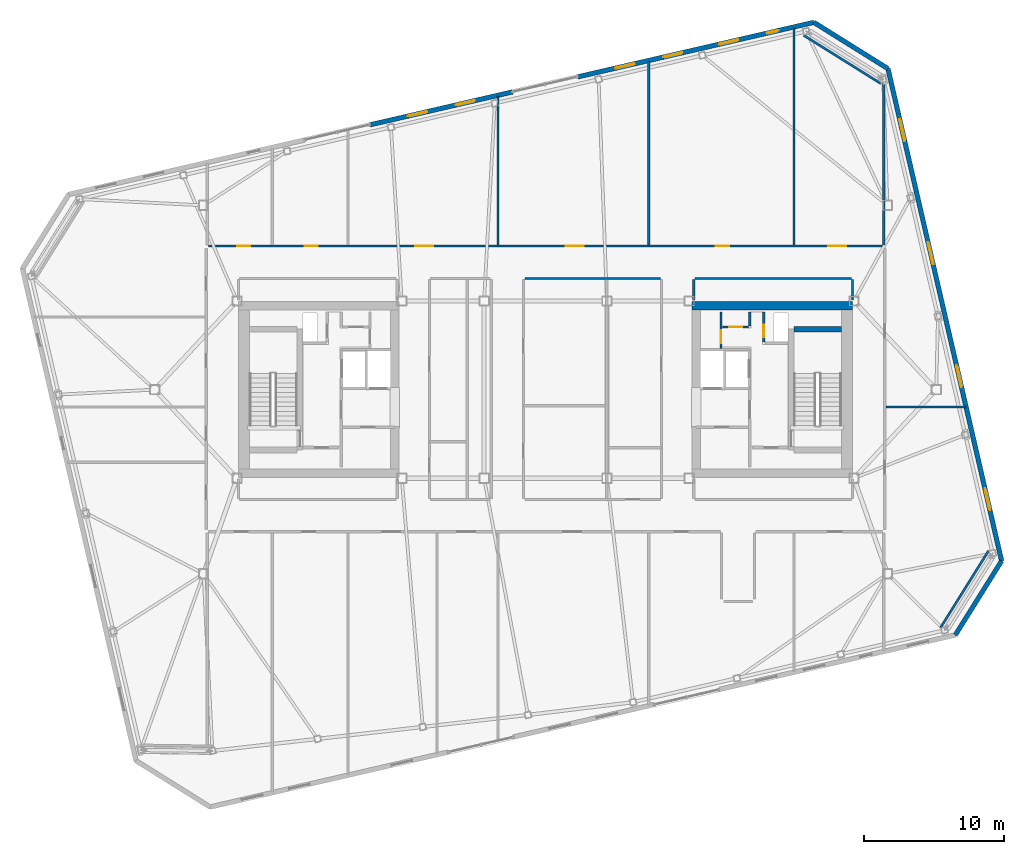
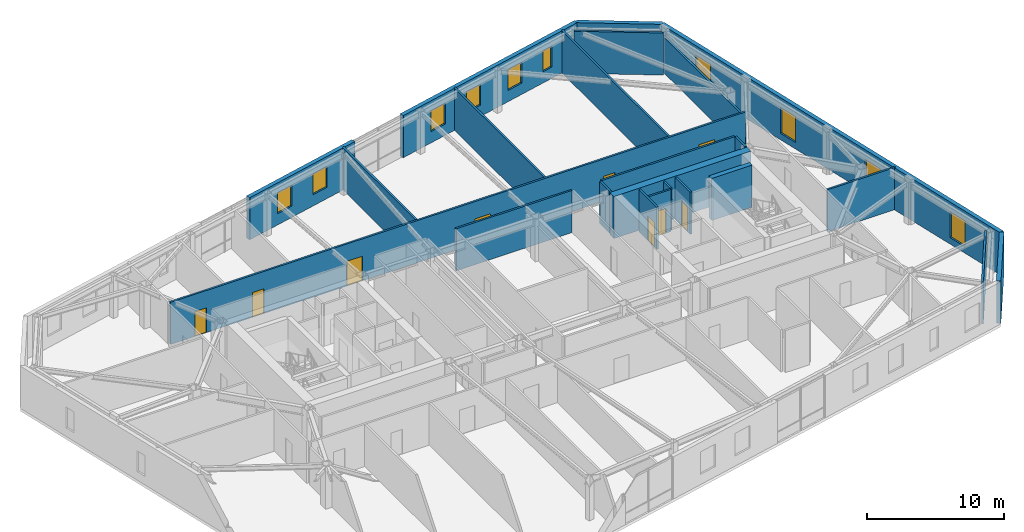
# One storey, part 19 of 23: 23 walls, 10 windows, 9 doors, 19 openings.
"""IFC4 building model written with IfcOpenShell, lengths in metres."""

from ifc_helpers import new_model, si_unit, direction, frame, frame_2d, origin, place, context, subcontext, project, spatial, rectangle, extrude, material, layer, layer_set, type_object, element, fill, save


model = new_model("IFC4")

# Units and contexts
model_context = context("Model", 3, precision=1e-05, world=origin(), true_north=direction((0.0, 1.0)))
body_context = subcontext(model_context, "Body", "Model", "MODEL_VIEW")
ifc_project = project(units=[si_unit("LENGTHUNIT", "METRE"), si_unit("AREAUNIT", "SQUARE_METRE"), si_unit("VOLUMEUNIT", "CUBIC_METRE"), si_unit("PLANEANGLEUNIT", "RADIAN"), si_unit("MASSUNIT", "GRAM", prefix="KILO")], contexts=[model_context])

# Site, building, storey
site_placement = place(None, origin())
site = spatial("IfcSite", under=ifc_project, at=site_placement, CompositionType="ELEMENT")
building_placement = place(site_placement, origin())
building = spatial("IfcBuilding", under=site, at=building_placement, Name="Tavrogorsk Clinical Tower", CompositionType="ELEMENT")
storey_placement = place(building_placement, frame((0.0, 0.0, 293.0)))
storey = spatial("IfcBuildingStorey", under=building, at=storey_placement, Name="L68", CompositionType="ELEMENT", Elevation=293.0)

# Wall, opening, door
ifc_material_1 = material(Name="Lightweight concrete blockwork B15", Category="masonry")
ifc_layer_1 = layer(ifc_material_1, 0.159912109375)
ifc_layer_set_1 = layer_set([ifc_layer_1], Name="Lightweight concrete blockwork B15")
wall_type_1 = type_object("IfcWallType", Name="PartitionWall_160", PredefinedType="PARTITIONING", material=ifc_layer_set_1)
wall_1_placement = place(storey_placement, frame((12.580078125, 2.9599609375, 0.0), z_axis=(0.0, 0.0, 1.0), x_axis=(0.0, 1.0, 0.0)))
wall_1 = element("IfcWall", 1, at=wall_1_placement, inside=storey, type_object=wall_type_1, Name="L68 Core East Linen Closet Wall", PredefinedType="PARTITIONING", context=body_context, shape_type="SweptSolid", body=[
    extrude(rectangle(XDim=2.60009765625, YDim=0.159912109375, at=frame_2d((1.300048828125, 0.0))), origin(), (0.0, 0.0, 1.0), 3.739990234375),
])
opening_1_placement = place(wall_1_placement, frame((0.35009765625, 0.0, 0.0)))
opening_1 = element("IfcOpeningElement", 2, at=opening_1_placement, cuts=wall_1, Name="Opening ID-02", PredefinedType="OPENING", context=body_context, shape_type="SweptSolid", body=[
    extrude(rectangle(XDim=0.949951171875, YDim=2.199951171875, at=frame_2d((0.47509765625, 1.10009765625))), frame((0.0, 0.08984375, 0.0), z_axis=(0.0, -1.0, 0.0), x_axis=(1.0, 0.0, 0.0)), (0.0, 0.0, 1.0), 0.179931640625),
])
ifc_material_2 = material(Name="Laminated timber leaf on aluminium frame", Category="wood")
door_type_1 = type_object("IfcDoorType", Name="InteriorDoor_ID02_950", OperationType="NOTDEFINED", PredefinedType="DOOR", material=ifc_material_2)
door_1_placement = place(opening_1_placement, origin())
door_1 = element("IfcDoor", 3, at=door_1_placement, inside=storey, type_object=door_type_1, Name="L68 Core East Linen Closet Door", OperationType="SINGLE_SWING_RIGHT", OverallHeight=2.199951171875, OverallWidth=0.949951171875, PredefinedType="DOOR", context=body_context, shape_type="SweptSolid", body=[
    extrude(rectangle(XDim=0.949951171875, YDim=2.199951171875, at=frame_2d((0.47509765625, 1.10009765625))), frame((0.0, 0.02490234375, 0.0), z_axis=(0.0, -1.0, 0.0), x_axis=(1.0, 0.0, 0.0)), (0.0, 0.0, 1.0), 0.050048828125),
])
fill(opening_1, door_1)

wall_2_placement = place(storey_placement, frame((12.6650390625, 4.47998046875, 0.0), z_axis=(0.0, 0.0, 1.0), x_axis=(1.0, 0.0, 0.0)))
wall_2 = element("IfcWall", 4, at=wall_2_placement, inside=storey, type_object=wall_type_1, Name="L68 Core East Housekeeping South Wall", PredefinedType="PARTITIONING", context=body_context, shape_type="SweptSolid", body=[
    extrude(rectangle(XDim=1.889892578125, YDim=0.159912109375, at=frame_2d((0.94482421875, 0.0))), origin(), (0.0, 0.0, 1.0), 3.739990234375),
])
opening_2_placement = place(wall_2_placement, frame((0.5, 0.0, 0.0)))
opening_2 = element("IfcOpeningElement", 5, at=opening_2_placement, cuts=wall_2, Name="Opening ID-02", PredefinedType="OPENING", context=body_context, shape_type="SweptSolid", body=[
    extrude(rectangle(XDim=0.949951171875, YDim=2.199951171875, at=frame_2d((0.47509765625, 1.10009765625))), frame((0.0, 0.08984375, 0.0), z_axis=(0.0, -1.0, 0.0), x_axis=(1.0, 0.0, 0.0)), (0.0, 0.0, 1.0), 0.179931640625),
])
door_2_placement = place(opening_2_placement, origin())
door_2 = element("IfcDoor", 6, at=door_2_placement, inside=storey, type_object=door_type_1, Name="L68 Core East Housekeeping Closet Door", OperationType="SINGLE_SWING_LEFT", OverallHeight=2.199951171875, OverallWidth=0.949951171875, PredefinedType="DOOR", context=body_context, shape_type="SweptSolid", body=[
    extrude(rectangle(XDim=0.949951171875, YDim=2.199951171875, at=frame_2d((0.47509765625, 1.10009765625))), frame((0.0, 0.02490234375, 0.0), z_axis=(0.0, -1.0, 0.0), x_axis=(1.0, 0.0, 0.0)), (0.0, 0.0, 1.0), 0.050048828125),
])
fill(opening_2, door_2)

# Walls
wall_3_placement = place(storey_placement, frame((14.639892578125, 4.56494140625, 0.0), z_axis=(0.0, 0.0, 1.0), x_axis=(0.0, 1.0, 0.0)))
element("IfcWall", 7, at=wall_3_placement, inside=storey, type_object=wall_type_1, Name="L68 Core East Housekeeping East Wall", PredefinedType="PARTITIONING", context=body_context, shape_type="SweptSolid", body=[
    extrude(rectangle(XDim=0.9951171875, YDim=0.159912109375, at=frame_2d((0.49755859375, 0.0))), origin(), (0.0, 0.0, 1.0), 3.739990234375),
])
for number, where, z_axis, x_axis, name in (
    (8, (28.30029296875, -17.064697265625, 0.0), (0.0, 0.0, 1.0), (0.529914601736, 0.848051009591, 0.0), "L68 Corner Exoskeleton Brace Furring Wall 1"),
    (9, (24.018310546875, 21.9306640625, 0.0), (0.0, 0.0, 1.0), (-0.848051009591, 0.529914601736, 0.0), "L68 Corner Exoskeleton Brace Furring Wall 2"),
):
    element("IfcWall", number, at=place(storey_placement, frame(where, z_axis=z_axis, x_axis=x_axis)), inside=storey, type_object=wall_type_1, Name=name, PredefinedType="PARTITIONING", context=body_context, shape_type="SweptSolid", body=[
        extrude(rectangle(XDim=6.50537109375, YDim=0.159912109375, at=frame_2d((3.252685546875, 0.0))), origin(), (0.0, 0.0, 1.0), 3.739990234375),
    ])

# Wall, openings, doors
wall_4_placement = place(storey_placement, frame((-24.14501953125, 10.280029296875, 0.0), z_axis=(0.0, 0.0, 1.0), x_axis=(1.0, 0.0, 0.0)))
wall_4 = element("IfcWall", 10, at=wall_4_placement, inside=storey, type_object=wall_type_1, Name="L68 Corridor Partition 02", PredefinedType="PARTITIONING", context=body_context, shape_type="SweptSolid", body=[
    extrude(rectangle(XDim=48.2900390625, YDim=0.159912109375, at=frame_2d((24.14501953125, 0.0))), origin(), (0.0, 0.0, 1.0), 3.739990234375),
])
opening_3_placement = place(wall_4_placement, frame((2.044189453125, 0.0, 0.0)))
opening_3 = element("IfcOpeningElement", 11, at=opening_3_placement, cuts=wall_4, Name="Opening ID-02", PredefinedType="OPENING", context=body_context, shape_type="SweptSolid", body=[
    extrude(rectangle(XDim=0.949951171875, YDim=2.199951171875, at=frame_2d((0.47509765625, 1.10009765625))), frame((0.0, 0.08984375, 0.0), z_axis=(0.0, -1.0, 0.0), x_axis=(1.0, 0.0, 0.0)), (0.0, 0.0, 1.0), 0.179931640625),
])
opening_4_placement = place(wall_4_placement, frame((6.885009765625, 0.0, 0.0)))
opening_4 = element("IfcOpeningElement", 12, at=opening_4_placement, cuts=wall_4, Name="Opening ID-02", PredefinedType="OPENING", context=body_context, shape_type="SweptSolid", body=[
    extrude(rectangle(XDim=0.949951171875, YDim=2.199951171875, at=frame_2d((0.47509765625, 1.10009765625))), frame((0.0, 0.08984375, 0.0), z_axis=(0.0, -1.0, 0.0), x_axis=(1.0, 0.0, 0.0)), (0.0, 0.0, 1.0), 0.179931640625),
])
opening_5_placement = place(wall_4_placement, frame((14.800048828125, 0.0, 0.0)))
opening_5 = element("IfcOpeningElement", 13, at=opening_5_placement, cuts=wall_4, Name="Opening ID-01", PredefinedType="OPENING", context=body_context, shape_type="SweptSolid", body=[
    extrude(rectangle(XDim=1.300048828125, YDim=2.199951171875, at=frame_2d((0.64990234375, 1.10009765625))), frame((0.0, 0.08984375, 0.0), z_axis=(0.0, -1.0, 0.0), x_axis=(1.0, 0.0, 0.0)), (0.0, 0.0, 1.0), 0.179931640625),
])
opening_6_placement = place(wall_4_placement, frame((25.580078125, 0.0, 0.0)))
opening_6 = element("IfcOpeningElement", 14, at=opening_6_placement, cuts=wall_4, Name="Opening ID-01", PredefinedType="OPENING", context=body_context, shape_type="SweptSolid", body=[
    extrude(rectangle(XDim=1.300048828125, YDim=2.199951171875, at=frame_2d((0.64990234375, 1.10009765625))), frame((0.0, 0.08984375, 0.0), z_axis=(0.0, -1.0, 0.0), x_axis=(1.0, 0.0, 0.0)), (0.0, 0.0, 1.0), 0.179931640625),
])
opening_7_placement = place(wall_4_placement, frame((36.35498046875, 0.0, 0.0)))
opening_7 = element("IfcOpeningElement", 15, at=opening_7_placement, cuts=wall_4, Name="Opening ID-02", PredefinedType="OPENING", context=body_context, shape_type="SweptSolid", body=[
    extrude(rectangle(XDim=0.949951171875, YDim=2.199951171875, at=frame_2d((0.47509765625, 1.10009765625))), frame((0.0, 0.08984375, 0.0), z_axis=(0.0, -1.0, 0.0), x_axis=(1.0, 0.0, 0.0)), (0.0, 0.0, 1.0), 0.179931640625),
])
opening_8_placement = place(wall_4_placement, frame((44.40087890625, 0.0, 0.0)))
opening_8 = element("IfcOpeningElement", 16, at=opening_8_placement, cuts=wall_4, Name="Opening ID-01", PredefinedType="OPENING", context=body_context, shape_type="SweptSolid", body=[
    extrude(rectangle(XDim=1.300048828125, YDim=2.199951171875, at=frame_2d((0.64990234375, 1.10009765625))), frame((0.0, 0.08984375, 0.0), z_axis=(0.0, -1.0, 0.0), x_axis=(1.0, 0.0, 0.0)), (0.0, 0.0, 1.0), 0.179931640625),
])
door_3_placement = place(opening_3_placement, origin())
door_3 = element("IfcDoor", 17, at=door_3_placement, inside=storey, type_object=door_type_1, Name="L68 North Physician Consultation Office 01 Door", OperationType="SINGLE_SWING_LEFT", OverallHeight=2.199951171875, OverallWidth=0.949951171875, PredefinedType="DOOR", context=body_context, shape_type="SweptSolid", body=[
    extrude(rectangle(XDim=0.949951171875, YDim=2.199951171875, at=frame_2d((0.47509765625, 1.10009765625))), frame((0.0, 0.02490234375, 0.0), z_axis=(0.0, -1.0, 0.0), x_axis=(1.0, 0.0, 0.0)), (0.0, 0.0, 1.0), 0.050048828125),
])
fill(opening_3, door_3)
door_4_placement = place(opening_4_placement, origin())
door_4 = element("IfcDoor", 18, at=door_4_placement, inside=storey, type_object=door_type_1, Name="L68 North Patient & Family Quiet Lounge 02 Door", OperationType="SINGLE_SWING_RIGHT", OverallHeight=2.199951171875, OverallWidth=0.949951171875, PredefinedType="DOOR", context=body_context, shape_type="SweptSolid", body=[
    extrude(rectangle(XDim=0.949951171875, YDim=2.199951171875, at=frame_2d((0.47509765625, 1.10009765625))), frame((0.0, 0.02490234375, 0.0), z_axis=(0.0, -1.0, 0.0), x_axis=(1.0, 0.0, 0.0)), (0.0, 0.0, 1.0), 0.050048828125),
])
fill(opening_4, door_4)
door_5_placement = place(opening_7_placement, origin())
door_5 = element("IfcDoor", 19, at=door_5_placement, inside=storey, type_object=door_type_1, Name="L68 North Multidisciplinary Case Room 05 Door", OperationType="SINGLE_SWING_LEFT", OverallHeight=2.199951171875, OverallWidth=0.949951171875, PredefinedType="DOOR", context=body_context, shape_type="SweptSolid", body=[
    extrude(rectangle(XDim=0.949951171875, YDim=2.199951171875, at=frame_2d((0.47509765625, 1.10009765625))), frame((0.0, 0.02490234375, 0.0), z_axis=(0.0, -1.0, 0.0), x_axis=(1.0, 0.0, 0.0)), (0.0, 0.0, 1.0), 0.050048828125),
])
fill(opening_7, door_5)
ifc_material_3 = material(Name="Antibacterial HPL medical leaf on aluminium frame", Category="aluminium")
door_type_2 = type_object("IfcDoorType", Name="WardBedDoor_ID01_1300", OperationType="NOTDEFINED", PredefinedType="DOOR", material=ifc_material_3)
door_6_placement = place(opening_5_placement, origin())
door_6 = element("IfcDoor", 20, at=door_6_placement, inside=storey, type_object=door_type_2, Name="L68 North Acute Isolation Suite 03 Door", OperationType="SINGLE_SWING_LEFT", OverallHeight=2.199951171875, OverallWidth=1.300048828125, PredefinedType="DOOR", context=body_context, shape_type="SweptSolid", body=[
    extrude(rectangle(XDim=1.300048828125, YDim=2.199951171875, at=frame_2d((0.64990234375, 1.10009765625))), frame((0.0, 0.02490234375, 0.0), z_axis=(0.0, -1.0, 0.0), x_axis=(1.0, 0.0, 0.0)), (0.0, 0.0, 1.0), 0.050048828125),
])
fill(opening_5, door_6)
door_7_placement = place(opening_6_placement, origin())
door_7 = element("IfcDoor", 21, at=door_7_placement, inside=storey, type_object=door_type_2, Name="L68 North Sub-Acute Recovery Ward 04 Door", OperationType="SINGLE_SWING_RIGHT", OverallHeight=2.199951171875, OverallWidth=1.300048828125, PredefinedType="DOOR", context=body_context, shape_type="SweptSolid", body=[
    extrude(rectangle(XDim=1.300048828125, YDim=2.199951171875, at=frame_2d((0.64990234375, 1.10009765625))), frame((0.0, 0.02490234375, 0.0), z_axis=(0.0, -1.0, 0.0), x_axis=(1.0, 0.0, 0.0)), (0.0, 0.0, 1.0), 0.050048828125),
])
fill(opening_6, door_7)
door_8_placement = place(opening_8_placement, origin())
door_8 = element("IfcDoor", 22, at=door_8_placement, inside=storey, type_object=door_type_2, Name="L68 North Inpatient Clinical Ward 06 Door", OperationType="SINGLE_SWING_RIGHT", OverallHeight=2.199951171875, OverallWidth=1.300048828125, PredefinedType="DOOR", context=body_context, shape_type="SweptSolid", body=[
    extrude(rectangle(XDim=1.300048828125, YDim=2.199951171875, at=frame_2d((0.64990234375, 1.10009765625))), frame((0.0, 0.02490234375, 0.0), z_axis=(0.0, -1.0, 0.0), x_axis=(1.0, 0.0, 0.0)), (0.0, 0.0, 1.0), 0.050048828125),
])
fill(opening_8, door_8)

# Walls
wall_5_placement = place(storey_placement, frame((21.9150390625, 7.969970703125, 0.0), z_axis=(0.0, 0.0, 1.0), x_axis=(-1.0, 0.0, 0.0)))
element("IfcWall", 23, at=wall_5_placement, inside=storey, type_object=wall_type_1, Name="L68 Corridor Partition 09", PredefinedType="PARTITIONING", context=body_context, shape_type="SweptSolid", body=[
    extrude(rectangle(XDim=11.199951171875, YDim=0.159912109375, at=frame_2d((5.60009765625, 0.0))), origin(), (0.0, 0.0, 1.0), 3.739990234375),
])
for number, where, z_axis, x_axis, name in (
    (24, (10.6298828125, 7.885009765625, 0.0), (0.0, 0.0, 1.0), (0.0, -1.0, 0.0), "L68 Corridor Partition 10"),
    (25, (22.0, 6.419921875, 0.0), (0.0, 0.0, 1.0), (0.0, 1.0, 0.0), "L68 Corridor Partition 14"),
):
    element("IfcWall", number, at=place(storey_placement, frame(where, z_axis=z_axis, x_axis=x_axis)), inside=storey, type_object=wall_type_1, Name=name, PredefinedType="PARTITIONING", context=body_context, shape_type="SweptSolid", body=[
        extrude(rectangle(XDim=1.465087890625, YDim=0.159912109375, at=frame_2d((0.732421875, 0.0))), origin(), (0.0, 0.0, 1.0), 3.739990234375),
    ])
wall_6_placement = place(storey_placement, frame((8.235107421875, 7.969970703125, 0.0), z_axis=(0.0, 0.0, 1.0), x_axis=(-1.0, 0.0, 0.0)))
element("IfcWall", 26, at=wall_6_placement, inside=storey, type_object=wall_type_1, Name="L68 Corridor Partition 15", PredefinedType="PARTITIONING", context=body_context, shape_type="SweptSolid", body=[
    extrude(rectangle(XDim=9.72021484375, YDim=0.159912109375, at=frame_2d((4.860107421875, 0.0))), origin(), (0.0, 0.0, 1.0), 3.739990234375),
])
wall_7_placement = place(storey_placement, frame((24.22998046875, 10.364990234375, 0.0), z_axis=(0.0, 0.0, 1.0), x_axis=(0.0, 1.0, 0.0)))
element("IfcWall", 27, at=wall_7_placement, inside=storey, type_object=wall_type_1, Name="L68 NE Wing Closure Partition", PredefinedType="PARTITIONING", context=body_context, shape_type="SweptSolid", body=[
    extrude(rectangle(XDim=12.206298828125, YDim=0.159912109375, at=frame_2d((6.10302734375, 0.0))), origin(), (0.0, 0.0, 1.0), 3.18505859375),
])
wall_8_placement = place(storey_placement, frame((-3.39990234375, 10.364990234375, 0.0), z_axis=(0.0, 0.0, 1.0), x_axis=(0.0, 1.0, 0.0)))
element("IfcWall", 28, at=wall_8_placement, inside=storey, type_object=wall_type_1, Name="L68 North Room Partition 3", PredefinedType="PARTITIONING", context=body_context, shape_type="SweptSolid", body=[
    extrude(rectangle(XDim=10.655029296875, YDim=0.159912109375, at=frame_2d((5.32763671875, 0.0))), origin(), (0.0, 0.0, 1.0), 3.739990234375),
])
wall_9_placement = place(storey_placement, frame((7.39990234375, 10.364990234375, 0.0), z_axis=(0.0, 0.0, 1.0), x_axis=(0.0, 1.0, 0.0)))
element("IfcWall", 29, at=wall_9_placement, inside=storey, type_object=wall_type_1, Name="L68 North Room Partition 4", PredefinedType="PARTITIONING", context=body_context, shape_type="SweptSolid", body=[
    extrude(rectangle(XDim=13.148193359375, YDim=0.159912109375, at=frame_2d((6.57421875, 0.0))), origin(), (0.0, 0.0, 1.0), 3.739990234375),
])
wall_10_placement = place(storey_placement, frame((17.800048828125, 10.364990234375, 0.0), z_axis=(0.0, 0.0, 1.0), x_axis=(0.0, 1.0, 0.0)))
element("IfcWall", 30, at=wall_10_placement, inside=storey, type_object=wall_type_1, Name="L68 North Room Partition 5", PredefinedType="PARTITIONING", context=body_context, shape_type="SweptSolid", body=[
    extrude(rectangle(XDim=15.54931640625, YDim=0.159912109375, at=frame_2d((7.774658203125, 0.0))), origin(), (0.0, 0.0, 1.0), 3.739990234375),
])
wall_11_placement = place(storey_placement, frame((24.39501953125, -1.25, 0.0), z_axis=(0.0, 0.0, 1.0), x_axis=(1.0, 0.0, 0.0)))
element("IfcWall", 31, at=wall_11_placement, inside=storey, type_object=wall_type_1, Name="L68 E Wing Divider 1", PredefinedType="PARTITIONING", context=body_context, shape_type="SweptSolid", body=[
    extrude(rectangle(XDim=5.724853515625, YDim=0.159912109375, at=frame_2d((2.8623046875, 0.0))), origin(), (0.0, 0.0, 1.0), 3.739990234375),
])

# Wall, openings, windows
ifc_material_4 = material(Name="Precast concrete B45 with limestone cladding", Category="masonry")
ifc_layer_2 = layer(ifc_material_4, 0.340087890625)
ifc_layer_set_2 = layer_set([ifc_layer_2], Name="Precast concrete B45 with limestone cladding")
wall_type_2 = type_object("IfcWallType", Name="PrecastLimestoneWall_340", PredefinedType="STANDARD", material=ifc_layer_set_2)
wall_12_placement = place(storey_placement, frame((19.2294921875, 26.316162109375, 0.0), z_axis=(0.0, 0.0, 1.0), x_axis=(-0.974372473594, -0.224940620392, 0.0)))
wall_12 = element("IfcWall", 32, at=wall_12_placement, inside=storey, type_object=wall_type_2, Name="L68 N Limestone Facade Wall 1", PredefinedType="STANDARD", context=body_context, shape_type="SweptSolid", body=[
    extrude(rectangle(XDim=17.36572265625, YDim=0.340087890625, at=frame_2d((8.682861328125, 0.0))), origin(), (0.0, 0.0, 1.0), 3.739990234375),
])
opening_9_placement = place(wall_12_placement, frame((13.187255859375, 0.0, 1.0)))
opening_9 = element("IfcOpeningElement", 33, at=opening_9_placement, cuts=wall_12, Name="Opening WN-17", PredefinedType="OPENING", context=body_context, shape_type="SweptSolid", body=[
    extrude(rectangle(XDim=1.39990234375, YDim=1.85009765625, at=frame_2d((0.699951171875, 0.925048828125))), frame((0.0, 0.179931640625, 0.0), z_axis=(0.0, -1.0, 0.0), x_axis=(1.0, 0.0, 0.0)), (0.0, 0.0, 1.0), 0.360107421875),
])
opening_10_placement = place(wall_12_placement, frame((9.675537109375, 0.0, 1.0)))
opening_10 = element("IfcOpeningElement", 34, at=opening_10_placement, cuts=wall_12, Name="Opening WN-17", PredefinedType="OPENING", context=body_context, shape_type="SweptSolid", body=[
    extrude(rectangle(XDim=1.39990234375, YDim=1.85009765625, at=frame_2d((0.699951171875, 0.925048828125))), frame((0.0, 0.179931640625, 0.0), z_axis=(0.0, -1.0, 0.0), x_axis=(1.0, 0.0, 0.0)), (0.0, 0.0, 1.0), 0.360107421875),
])
opening_11_placement = place(wall_12_placement, frame((5.552978515625, 0.0, 1.0)))
opening_11 = element("IfcOpeningElement", 35, at=opening_11_placement, cuts=wall_12, Name="Opening WN-17", PredefinedType="OPENING", context=body_context, shape_type="SweptSolid", body=[
    extrude(rectangle(XDim=1.39990234375, YDim=1.85009765625, at=frame_2d((0.699951171875, 0.925048828125))), frame((0.0, 0.179931640625, 0.0), z_axis=(0.0, -1.0, 0.0), x_axis=(1.0, 0.0, 0.0)), (0.0, 0.0, 1.0), 0.360107421875),
])
opening_12_placement = place(wall_12_placement, frame((2.59130859375, 0.0, 1.0)))
opening_12 = element("IfcOpeningElement", 36, at=opening_12_placement, cuts=wall_12, Name="Opening WN-06", PredefinedType="OPENING", context=body_context, shape_type="SweptSolid", body=[
    extrude(rectangle(XDim=0.85009765625, YDim=1.85009765625, at=frame_2d((0.425048828125, 0.925048828125))), frame((0.0, 0.179931640625, 0.0), z_axis=(0.0, -1.0, 0.0), x_axis=(1.0, 0.0, 0.0)), (0.0, 0.0, 1.0), 0.360107421875),
])
ifc_material_5 = material(Name="Thermally broken aluminium frame and triple IGU", Category="aluminium")
window_type_1 = type_object("IfcWindowType", Name="MullionSubWin_850x1850", PartitioningType="SINGLE_PANEL", PredefinedType="WINDOW", material=ifc_material_5)
window_1_placement = place(opening_12_placement, origin())
window_1 = element("IfcWindow", 37, at=window_1_placement, inside=storey, type_object=window_type_1, Name="L68 N Mullion Split Window 10B", OverallHeight=1.85009765625, OverallWidth=0.85009765625, PartitioningType="SINGLE_PANEL", PredefinedType="WINDOW", context=body_context, shape_type="SweptSolid", body=[
    extrude(rectangle(XDim=0.85009765625, YDim=1.85009765625, at=frame_2d((0.425048828125, 0.925048828125))), frame((0.0, 0.030029296875, 0.0), z_axis=(0.0, -1.0, 0.0), x_axis=(1.0, 0.0, 0.0)), (0.0, 0.0, 1.0), 0.06005859375),
])
fill(opening_12, window_1)
ifc_material_6 = material(Name="Thermally broken aluminium frame and triple IGU", Category="aluminium")
window_type_2 = type_object("IfcWindowType", Name="TelemetryWin_1400x1850", PartitioningType="SINGLE_PANEL", PredefinedType="WINDOW", material=ifc_material_6)
window_2_placement = place(opening_9_placement, origin())
window_2 = element("IfcWindow", 38, at=window_2_placement, inside=storey, type_object=window_type_2, Name="L68 N Chicago Window 07", OverallHeight=1.85009765625, OverallWidth=1.39990234375, PartitioningType="SINGLE_PANEL", PredefinedType="WINDOW", context=body_context, shape_type="SweptSolid", body=[
    extrude(rectangle(XDim=1.39990234375, YDim=1.85009765625, at=frame_2d((0.699951171875, 0.925048828125))), frame((0.0, 0.030029296875, 0.0), z_axis=(0.0, -1.0, 0.0), x_axis=(1.0, 0.0, 0.0)), (0.0, 0.0, 1.0), 0.06005859375),
])
fill(opening_9, window_2)
window_3_placement = place(opening_10_placement, origin())
window_3 = element("IfcWindow", 39, at=window_3_placement, inside=storey, type_object=window_type_2, Name="L68 N Chicago Window 08", OverallHeight=1.85009765625, OverallWidth=1.39990234375, PartitioningType="SINGLE_PANEL", PredefinedType="WINDOW", context=body_context, shape_type="SweptSolid", body=[
    extrude(rectangle(XDim=1.39990234375, YDim=1.85009765625, at=frame_2d((0.699951171875, 0.925048828125))), frame((0.0, 0.030029296875, 0.0), z_axis=(0.0, -1.0, 0.0), x_axis=(1.0, 0.0, 0.0)), (0.0, 0.0, 1.0), 0.06005859375),
])
fill(opening_10, window_3)
window_4_placement = place(opening_11_placement, origin())
window_4 = element("IfcWindow", 40, at=window_4_placement, inside=storey, type_object=window_type_2, Name="L68 N Chicago Window 09", OverallHeight=1.85009765625, OverallWidth=1.39990234375, PartitioningType="SINGLE_PANEL", PredefinedType="WINDOW", context=body_context, shape_type="SweptSolid", body=[
    extrude(rectangle(XDim=1.39990234375, YDim=1.85009765625, at=frame_2d((0.699951171875, 0.925048828125))), frame((0.0, 0.030029296875, 0.0), z_axis=(0.0, -1.0, 0.0), x_axis=(1.0, 0.0, 0.0)), (0.0, 0.0, 1.0), 0.06005859375),
])
fill(opening_11, window_4)

wall_13_placement = place(storey_placement, frame((-2.3681640625, 21.330078125, 0.0), z_axis=(0.0, 0.0, 1.0), x_axis=(-0.974367213107, -0.224963405961, 0.0)))
wall_13 = element("IfcWall", 41, at=wall_13_placement, inside=storey, type_object=wall_type_2, Name="L68 N Limestone Facade Wall 2", PredefinedType="STANDARD", context=body_context, shape_type="SweptSolid", body=[
    extrude(rectangle(XDim=10.46826171875, YDim=0.340087890625, at=frame_2d((5.234130859375, 0.0))), origin(), (0.0, 0.0, 1.0), 3.739990234375),
])
opening_13_placement = place(wall_13_placement, frame((6.2900390625, 0.0, 1.0)))
opening_13 = element("IfcOpeningElement", 42, at=opening_13_placement, cuts=wall_13, Name="Opening WN-17", PredefinedType="OPENING", context=body_context, shape_type="SweptSolid", body=[
    extrude(rectangle(XDim=1.39990234375, YDim=1.85009765625, at=frame_2d((0.699951171875, 0.925048828125))), frame((0.0, 0.179931640625, 0.0), z_axis=(0.0, -1.0, 0.0), x_axis=(1.0, 0.0, 0.0)), (0.0, 0.0, 1.0), 0.360107421875),
])
opening_14_placement = place(wall_13_placement, frame((2.7783203125, 0.0, 1.0)))
opening_14 = element("IfcOpeningElement", 43, at=opening_14_placement, cuts=wall_13, Name="Opening WN-17", PredefinedType="OPENING", context=body_context, shape_type="SweptSolid", body=[
    extrude(rectangle(XDim=1.39990234375, YDim=1.85009765625, at=frame_2d((0.699951171875, 0.925048828125))), frame((0.0, 0.179931640625, 0.0), z_axis=(0.0, -1.0, 0.0), x_axis=(1.0, 0.0, 0.0)), (0.0, 0.0, 1.0), 0.360107421875),
])
window_5_placement = place(opening_13_placement, origin())
window_5 = element("IfcWindow", 44, at=window_5_placement, inside=storey, type_object=window_type_2, Name="L68 N Chicago Window 05", OverallHeight=1.85009765625, OverallWidth=1.39990234375, PartitioningType="SINGLE_PANEL", PredefinedType="WINDOW", context=body_context, shape_type="SweptSolid", body=[
    extrude(rectangle(XDim=1.39990234375, YDim=1.85009765625, at=frame_2d((0.699951171875, 0.925048828125))), frame((0.0, 0.030029296875, 0.0), z_axis=(0.0, -1.0, 0.0), x_axis=(1.0, 0.0, 0.0)), (0.0, 0.0, 1.0), 0.06005859375),
])
fill(opening_13, window_5)
window_6_placement = place(opening_14_placement, origin())
window_6 = element("IfcWindow", 45, at=window_6_placement, inside=storey, type_object=window_type_2, Name="L68 N Chicago Window 06", OverallHeight=1.85009765625, OverallWidth=1.39990234375, PartitioningType="SINGLE_PANEL", PredefinedType="WINDOW", context=body_context, shape_type="SweptSolid", body=[
    extrude(rectangle(XDim=1.39990234375, YDim=1.85009765625, at=frame_2d((0.699951171875, 0.925048828125))), frame((0.0, 0.030029296875, 0.0), z_axis=(0.0, -1.0, 0.0), x_axis=(1.0, 0.0, 0.0)), (0.0, 0.0, 1.0), 0.06005859375),
])
fill(opening_14, window_6)

wall_14_placement = place(storey_placement, frame((32.685791015625, -12.27587890625, 0.0), z_axis=(0.0, 0.0, 1.0), x_axis=(-0.224953091034, 0.974369594576, 0.0)))
wall_14 = element("IfcWall", 46, at=wall_14_placement, inside=storey, type_object=wall_type_2, Name="L68 E Pleated Limestone Wing Wall", PredefinedType="STANDARD", context=body_context, shape_type="SweptSolid", body=[
    extrude(rectangle(XDim=36.199951171875, YDim=0.340087890625, at=frame_2d((18.10009765625, 0.0))), origin(), (0.0, 0.0, 1.0), 3.739990234375),
])
opening_15_placement = place(wall_14_placement, frame((3.72509765625, 0.0, 0.580078125)))
opening_15 = element("IfcOpeningElement", 47, at=opening_15_placement, cuts=wall_14, Name="Opening WN-07", PredefinedType="OPENING", context=body_context, shape_type="SweptSolid", body=[
    extrude(rectangle(XDim=1.60009765625, YDim=2.300048828125, at=frame_2d((0.800048828125, 1.14990234375))), frame((0.0, 0.179931640625, 0.0), z_axis=(0.0, -1.0, 0.0), x_axis=(1.0, 0.0, 0.0)), (0.0, 0.0, 1.0), 0.360107421875),
])
opening_16_placement = place(wall_14_placement, frame((12.77490234375, 0.0, 0.580078125)))
opening_16 = element("IfcOpeningElement", 48, at=opening_16_placement, cuts=wall_14, Name="Opening WN-07", PredefinedType="OPENING", context=body_context, shape_type="SweptSolid", body=[
    extrude(rectangle(XDim=1.60009765625, YDim=2.300048828125, at=frame_2d((0.800048828125, 1.14990234375))), frame((0.0, 0.179931640625, 0.0), z_axis=(0.0, -1.0, 0.0), x_axis=(1.0, 0.0, 0.0)), (0.0, 0.0, 1.0), 0.360107421875),
])
opening_17_placement = place(wall_14_placement, frame((21.824951171875, 0.0, 0.580078125)))
opening_17 = element("IfcOpeningElement", 49, at=opening_17_placement, cuts=wall_14, Name="Opening WN-07", PredefinedType="OPENING", context=body_context, shape_type="SweptSolid", body=[
    extrude(rectangle(XDim=1.60009765625, YDim=2.300048828125, at=frame_2d((0.800048828125, 1.14990234375))), frame((0.0, 0.179931640625, 0.0), z_axis=(0.0, -1.0, 0.0), x_axis=(1.0, 0.0, 0.0)), (0.0, 0.0, 1.0), 0.360107421875),
])
opening_18_placement = place(wall_14_placement, frame((30.875, 0.0, 0.580078125)))
opening_18 = element("IfcOpeningElement", 50, at=opening_18_placement, cuts=wall_14, Name="Opening WN-07", PredefinedType="OPENING", context=body_context, shape_type="SweptSolid", body=[
    extrude(rectangle(XDim=1.60009765625, YDim=2.300048828125, at=frame_2d((0.800048828125, 1.14990234375))), frame((0.0, 0.179931640625, 0.0), z_axis=(0.0, -1.0, 0.0), x_axis=(1.0, 0.0, 0.0)), (0.0, 0.0, 1.0), 0.360107421875),
])
ifc_material_7 = material(Name="Thermally broken aluminium frame and triple IGU", Category="aluminium")
window_type_3 = type_object("IfcWindowType", Name="PleatSlotWin_1600x2300", PartitioningType="SINGLE_PANEL", PredefinedType="WINDOW", material=ifc_material_7)
window_7_placement = place(opening_15_placement, origin())
window_7 = element("IfcWindow", 51, at=window_7_placement, inside=storey, type_object=window_type_3, Name="L68 E Pleat Slot Window 1", OverallHeight=2.300048828125, OverallWidth=1.60009765625, PartitioningType="SINGLE_PANEL", PredefinedType="WINDOW", context=body_context, shape_type="SweptSolid", body=[
    extrude(rectangle(XDim=1.60009765625, YDim=2.300048828125, at=frame_2d((0.800048828125, 1.14990234375))), frame((0.0, 0.030029296875, 0.0), z_axis=(0.0, -1.0, 0.0), x_axis=(1.0, 0.0, 0.0)), (0.0, 0.0, 1.0), 0.06005859375),
])
fill(opening_15, window_7)
window_8_placement = place(opening_16_placement, origin())
window_8 = element("IfcWindow", 52, at=window_8_placement, inside=storey, type_object=window_type_3, Name="L68 E Pleat Slot Window 2", OverallHeight=2.300048828125, OverallWidth=1.60009765625, PartitioningType="SINGLE_PANEL", PredefinedType="WINDOW", context=body_context, shape_type="SweptSolid", body=[
    extrude(rectangle(XDim=1.60009765625, YDim=2.300048828125, at=frame_2d((0.800048828125, 1.14990234375))), frame((0.0, 0.030029296875, 0.0), z_axis=(0.0, -1.0, 0.0), x_axis=(1.0, 0.0, 0.0)), (0.0, 0.0, 1.0), 0.06005859375),
])
fill(opening_16, window_8)
window_9_placement = place(opening_17_placement, origin())
window_9 = element("IfcWindow", 53, at=window_9_placement, inside=storey, type_object=window_type_3, Name="L68 E Pleat Slot Window 3", OverallHeight=2.300048828125, OverallWidth=1.60009765625, PartitioningType="SINGLE_PANEL", PredefinedType="WINDOW", context=body_context, shape_type="SweptSolid", body=[
    extrude(rectangle(XDim=1.60009765625, YDim=2.300048828125, at=frame_2d((0.800048828125, 1.14990234375))), frame((0.0, 0.030029296875, 0.0), z_axis=(0.0, -1.0, 0.0), x_axis=(1.0, 0.0, 0.0)), (0.0, 0.0, 1.0), 0.06005859375),
])
fill(opening_17, window_9)
window_10_placement = place(opening_18_placement, origin())
window_10 = element("IfcWindow", 54, at=window_10_placement, inside=storey, type_object=window_type_3, Name="L68 E Pleat Slot Window 4", OverallHeight=2.300048828125, OverallWidth=1.60009765625, PartitioningType="SINGLE_PANEL", PredefinedType="WINDOW", context=body_context, shape_type="SweptSolid", body=[
    extrude(rectangle(XDim=1.60009765625, YDim=2.300048828125, at=frame_2d((0.800048828125, 1.14990234375))), frame((0.0, 0.030029296875, 0.0), z_axis=(0.0, -1.0, 0.0), x_axis=(1.0, 0.0, 0.0)), (0.0, 0.0, 1.0), 0.06005859375),
])
fill(opening_18, window_10)

# Walls
for number, where, z_axis, x_axis, name in (
    (55, (29.365966796875, -17.5888671875, 0.0), (0.0, 0.0, 1.0), (0.529907862057, 0.848055220921, 0.0), "L68 Chamfered Corner Wall 1"),
    (56, (24.54248046875, 22.996337890625, 0.0), (0.0, 0.0, 1.0), (-0.848055220921, 0.529907862057, 0.0), "L68 Chamfered Corner Wall 2"),
):
    element("IfcWall", number, at=place(storey_placement, frame(where, z_axis=z_axis, x_axis=x_axis)), inside=storey, type_object=wall_type_2, Name=name, PredefinedType="STANDARD", context=body_context, shape_type="SweptSolid", body=[
        extrude(rectangle(XDim=6.264892578125, YDim=0.340087890625, at=frame_2d((3.13232421875, 0.0))), origin(), (0.0, 0.0, 1.0), 3.739990234375),
    ])

# Wall, opening, door
ifc_material_8 = material(Name="Lightweight concrete blockwork B25", Category="masonry")
ifc_layer_3 = layer(ifc_material_8, 0.159912109375)
ifc_layer_set_3 = layer_set([ifc_layer_3], Name="Lightweight concrete blockwork B25")
wall_type_3 = type_object("IfcWallType", Name="ShaftWall_160", PredefinedType="PARTITIONING", material=ifc_layer_set_3)
wall_15_placement = place(storey_placement, frame((15.639892578125, 3.405029296875, 0.0), z_axis=(0.0, 0.0, 1.0), x_axis=(0.0, 1.0, 0.0)))
wall_15 = element("IfcWall", 57, at=wall_15_placement, inside=storey, type_object=wall_type_3, Name="L68 Core East Riser West Wall", PredefinedType="PARTITIONING", context=body_context, shape_type="SweptSolid", body=[
    extrude(rectangle(XDim=2.155029296875, YDim=0.159912109375, at=frame_2d((1.07763671875, 0.0))), origin(), (0.0, 0.0, 1.0), 3.739990234375),
])
opening_19_placement = place(wall_15_placement, frame((0.35009765625, 0.0, 0.0)))
opening_19 = element("IfcOpeningElement", 58, at=opening_19_placement, cuts=wall_15, Name="Opening FD-02", PredefinedType="OPENING", context=body_context, shape_type="SweptSolid", body=[
    extrude(rectangle(XDim=0.89990234375, YDim=2.199951171875, at=frame_2d((0.449951171875, 1.10009765625))), frame((0.0, 0.08984375, 0.0), z_axis=(0.0, -1.0, 0.0), x_axis=(1.0, 0.0, 0.0)), (0.0, 0.0, 1.0), 0.179931640625),
])
ifc_material_9 = material(Name="Galvanised steel fire-rated door assembly", Category="steel")
door_type_3 = type_object("IfcDoorType", Name="FireDoor_FD02_900", OperationType="NOTDEFINED", PredefinedType="DOOR", material=ifc_material_9)
door_9_placement = place(opening_19_placement, origin())
door_9 = element("IfcDoor", 59, at=door_9_placement, inside=storey, type_object=door_type_3, Name="L68 Core East Electrical Riser Access Door", OperationType="SINGLE_SWING_LEFT", OverallHeight=2.199951171875, OverallWidth=0.89990234375, PredefinedType="DOOR", context=body_context, shape_type="SweptSolid", body=[
    extrude(rectangle(XDim=0.89990234375, YDim=2.199951171875, at=frame_2d((0.449951171875, 1.10009765625))), frame((0.0, 0.02490234375, 0.0), z_axis=(0.0, -1.0, 0.0), x_axis=(1.0, 0.0, 0.0)), (0.0, 0.0, 1.0), 0.050048828125),
])
fill(opening_19, door_9)

# Walls
ifc_material_10 = material(Name="Concrete B80", Category="concrete")
ifc_layer_4 = layer(ifc_material_10, 0.39990234375)
ifc_layer_set_4 = layer_set([ifc_layer_4], Name="Concrete B80")
wall_type_4 = type_object("IfcWallType", Name="ShearWall_400", PredefinedType="SHEAR", material=ifc_layer_set_4)
wall_16_placement = place(storey_placement, frame((17.800048828125, 4.324951171875, 0.0), z_axis=(0.0, 0.0, 1.0), x_axis=(1.0, 0.0, 0.0)))
element("IfcWall", 60, at=wall_16_placement, inside=storey, type_object=wall_type_4, Name="L68 Core East Stair Shaft North Shear Wall", PredefinedType="SHEAR", context=body_context, shape_type="SweptSolid", body=[
    extrude(rectangle(XDim=3.39990234375, YDim=0.39990234375, at=frame_2d((1.699951171875, 0.0))), origin(), (0.0, 0.0, 1.0), 3.739990234375),
])
ifc_material_11 = material(Name="Concrete B80", Category="concrete")
ifc_layer_5 = layer(ifc_material_11, 0.60009765625)
ifc_layer_set_5 = layer_set([ifc_layer_5], Name="Concrete B80")
wall_type_5 = type_object("IfcWallType", Name="ShearWall_600", PredefinedType="SHEAR", material=ifc_layer_set_5)
wall_17_placement = place(storey_placement, frame((10.5, 6.0, 0.0), z_axis=(0.0, 0.0, 1.0), x_axis=(1.0, 0.0, 0.0)))
element("IfcWall", 61, at=wall_17_placement, inside=storey, type_object=wall_type_5, Name="L68 Core East North Shear Wall", PredefinedType="SHEAR", context=body_context, shape_type="SweptSolid", body=[
    extrude(rectangle(XDim=11.5, YDim=0.60009765625, at=frame_2d((5.75, 0.0))), origin(), (0.0, 0.0, 1.0), 3.739990234375),
])

save(model, "model.ifc")
